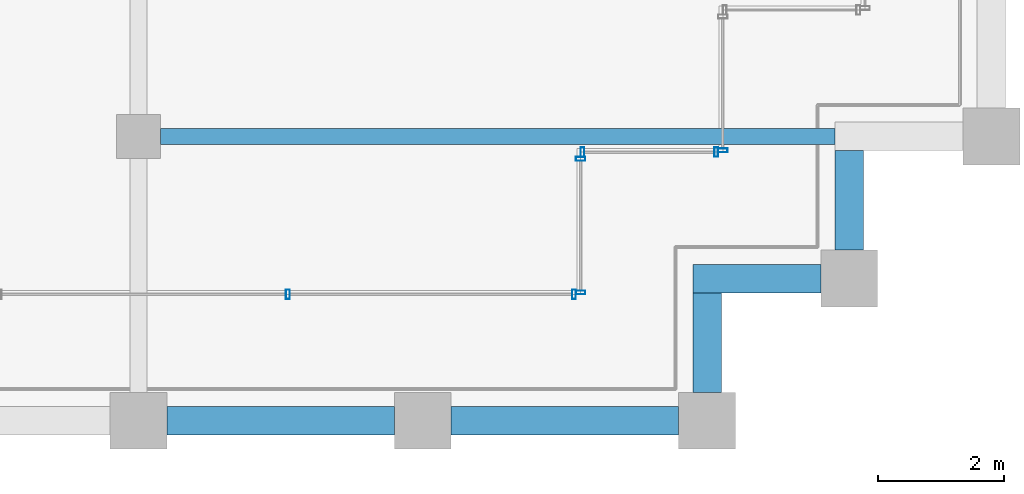
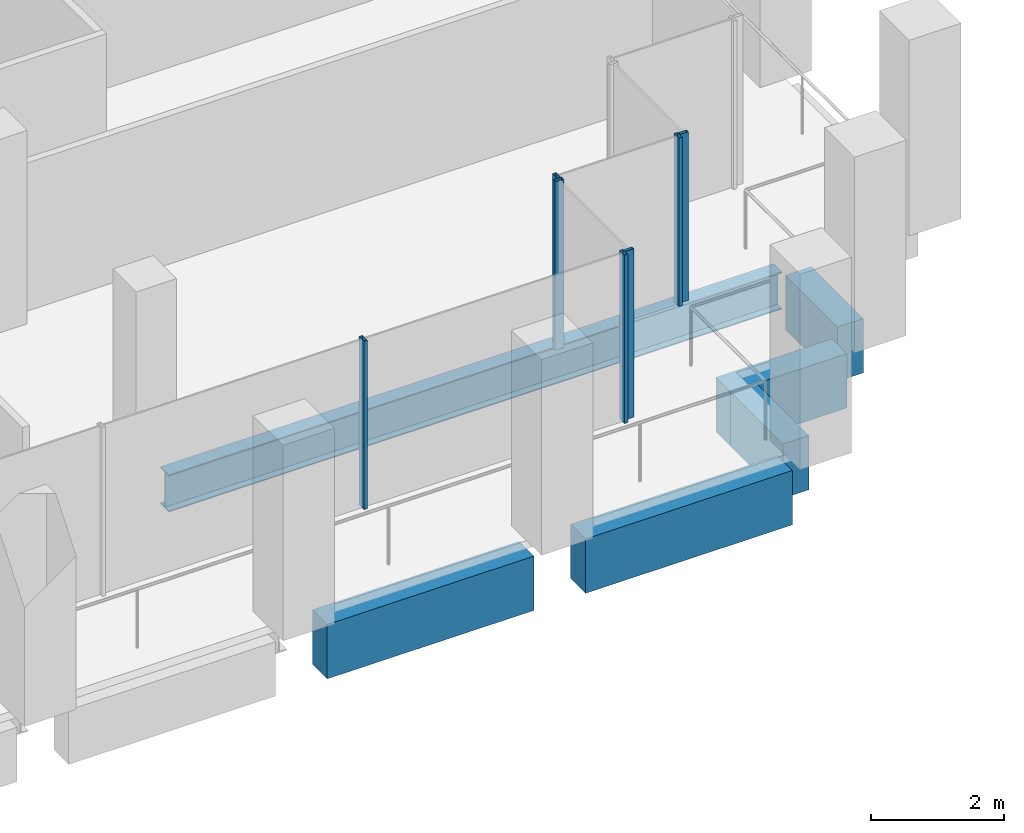
# One storey, part 12 of 40: 7 members, 6 beams, 4 elements without a shape of their own.
"""IFC4 building model written with IfcOpenShell, lengths in metres."""

from ifc_helpers import new_model, si_unit, direction, frame, origin, origin_2d, place, context, subcontext, project, spatial, rectangle, hollow_rectangle, i_section, extrude, material, material_profile, profile_set, type_object, element, aggregate, save


model = new_model("IFC4")

# Units and contexts
model_context = context("Model", 3, precision=1e-05, world=origin(), true_north=direction((0.0, 1.0)))
body_context = subcontext(model_context, "Body", "Model", "MODEL_VIEW")
ifc_project = project(units=[si_unit("LENGTHUNIT", "METRE"), si_unit("AREAUNIT", "SQUARE_METRE"), si_unit("VOLUMEUNIT", "CUBIC_METRE"), si_unit("PLANEANGLEUNIT", "RADIAN"), si_unit("MASSUNIT", "GRAM", prefix="KILO")], contexts=[model_context])

# Site, building, storey
site_placement = place(None, origin())
site = spatial("IfcSite", under=ifc_project, at=site_placement, CompositionType="ELEMENT")
building_placement = place(site_placement, origin())
building = spatial("IfcBuilding", under=site, at=building_placement, Name="Altepetl Exchange Towers", CompositionType="ELEMENT")
storey_placement = place(building_placement, frame((0.0, 0.0, 183.39990234375)))
storey = spatial("IfcBuildingStorey", under=building, at=storey_placement, Name="L46", CompositionType="ELEMENT", Elevation=183.39990234375)

# Beam
ifc_material_1 = material(Name="Steel S355", Category="steel")
ifc_material_profile_1 = material_profile(ifc_material_1, i_section(OverallWidth=0.25390625, OverallDepth=0.68408203125, WebThickness=0.012451171875, FlangeThickness=0.018798828125, at=origin_2d()), Name="W27X94")
ifc_profile_set_1 = profile_set([ifc_material_profile_1], Name="Steel S355")
beam_type_1 = type_object("IfcBeamType", Name="Floor beam W27X94", PredefinedType="BEAM", material=ifc_profile_set_1)
beam_1_placement = place(storey_placement, frame((58.85009765625, 31.5, -0.491943359375), z_axis=(1.0, 0.0, 0.0), x_axis=(0.0, 1.0, 0.0)))
element("IfcBeam", 1, at=beam_1_placement, inside=storey, type_object=beam_type_1, Name="bm:A:L46:006", PredefinedType="BEAM", context=body_context, shape_type="SweptSolid", body=[
    extrude(i_section(OverallWidth=0.25390625, OverallDepth=0.68408203125, WebThickness=0.012451171875, FlangeThickness=0.018798828125, at=origin_2d()), origin(), (0.0, 0.0, 1.0), 10.6748046875),
])

# Curtain wall, members
ifc_material_2 = material(Name="Aluminium 6063-T6 glazing", Category="aluminium")
curtain_wall_type = type_object("IfcCurtainWallType", Name="Loggia glazing system", PredefinedType="NOTDEFINED", material=ifc_material_2)
curtain_wall_1_placement = place(storey_placement, origin())
curtain_wall_1 = element("IfcCurtainWall", 2, at=curtain_wall_1_placement, inside=storey, type_object=curtain_wall_type, Name="CW1 run", PredefinedType="NOTDEFINED")
ifc_material_3 = material(Name="Aluminium 6063-T6", Category="aluminium")
ifc_material_profile_2 = material_profile(ifc_material_3, hollow_rectangle(XDim=0.06005859375, YDim=0.14990234375, WallThickness=0.0029296875, at=origin_2d()), Name="Mullion 60x150 aluminium")
ifc_profile_set_2 = profile_set([ifc_material_profile_2], Name="Aluminium 6063-T6")
member_type = type_object("IfcMemberType", Name="Mullion 60x150 aluminium", PredefinedType="MULLION", material=ifc_profile_set_2)
member_1_placement = place(storey_placement, frame((60.8642578125, 29.0, 0.0)))
member_1 = element("IfcMember", 3, at=member_1_placement, type_object=member_type, Name="MU1 mullion", PredefinedType="MULLION", context=body_context, shape_type="SweptSolid", body=[
    extrude(hollow_rectangle(XDim=0.06005859375, YDim=0.14990234375, WallThickness=0.0029296875, at=origin_2d()), origin(), (0.0, 0.0, 1.0), 3.10009765625),
])
member_2_placement = place(storey_placement, frame((65.39501953125, 29.0, 0.0)))
member_2 = element("IfcMember", 4, at=member_2_placement, type_object=member_type, Name="MU1 mullion", PredefinedType="MULLION", context=body_context, shape_type="SweptSolid", body=[
    extrude(hollow_rectangle(XDim=0.06005859375, YDim=0.14990234375, WallThickness=0.0029296875, at=origin_2d()), origin(), (0.0, 0.0, 1.0), 3.10009765625),
])
aggregate(curtain_wall_1, [member_1, member_2])

curtain_wall_2_placement = place(storey_placement, origin())
curtain_wall_2 = element("IfcCurtainWall", 5, at=curtain_wall_2_placement, inside=storey, type_object=curtain_wall_type, Name="CW1 run", PredefinedType="NOTDEFINED")
member_3_placement = place(storey_placement, frame((65.5, 29.030029296875, 0.0), z_axis=(0.0, 0.0, 1.0), x_axis=(0.0, 1.0, 0.0)))
member_3 = element("IfcMember", 6, at=member_3_placement, type_object=member_type, Name="MU1 mullion", PredefinedType="MULLION", context=body_context, shape_type="SweptSolid", body=[
    extrude(hollow_rectangle(XDim=0.06005859375, YDim=0.14990234375, WallThickness=0.0029296875, at=origin_2d()), origin(), (0.0, 0.0, 1.0), 3.10009765625),
])
member_4_placement = place(storey_placement, frame((65.5, 31.14501953125, 0.0), z_axis=(0.0, 0.0, 1.0), x_axis=(0.0, 1.0, 0.0)))
member_4 = element("IfcMember", 7, at=member_4_placement, type_object=member_type, Name="MU1 mullion", PredefinedType="MULLION", context=body_context, shape_type="SweptSolid", body=[
    extrude(hollow_rectangle(XDim=0.06005859375, YDim=0.14990234375, WallThickness=0.0029296875, at=origin_2d()), origin(), (0.0, 0.0, 1.0), 3.10009765625),
])
aggregate(curtain_wall_2, [member_3, member_4])

curtain_wall_3_placement = place(storey_placement, origin())
curtain_wall_3 = element("IfcCurtainWall", 8, at=curtain_wall_3_placement, inside=storey, type_object=curtain_wall_type, Name="CW1 run", PredefinedType="NOTDEFINED")
member_5_placement = place(storey_placement, frame((65.530029296875, 31.25, 0.0)))
member_5 = element("IfcMember", 9, at=member_5_placement, type_object=member_type, Name="MU1 mullion", PredefinedType="MULLION", context=body_context, shape_type="SweptSolid", body=[
    extrude(hollow_rectangle(XDim=0.06005859375, YDim=0.14990234375, WallThickness=0.0029296875, at=origin_2d()), origin(), (0.0, 0.0, 1.0), 3.10009765625),
])
member_6_placement = place(storey_placement, frame((67.64501953125, 31.25, 0.0)))
member_6 = element("IfcMember", 10, at=member_6_placement, type_object=member_type, Name="MU1 mullion", PredefinedType="MULLION", context=body_context, shape_type="SweptSolid", body=[
    extrude(hollow_rectangle(XDim=0.06005859375, YDim=0.14990234375, WallThickness=0.0029296875, at=origin_2d()), origin(), (0.0, 0.0, 1.0), 3.10009765625),
])
aggregate(curtain_wall_3, [member_5, member_6])

# Curtain wall, member
curtain_wall_4_placement = place(storey_placement, origin())
curtain_wall_4 = element("IfcCurtainWall", 11, at=curtain_wall_4_placement, inside=storey, type_object=curtain_wall_type, Name="CW1 run", PredefinedType="NOTDEFINED")
member_7_placement = place(storey_placement, frame((67.75, 31.280029296875, 0.0), z_axis=(0.0, 0.0, 1.0), x_axis=(0.0, 1.0, 0.0)))
member_7 = element("IfcMember", 12, at=member_7_placement, type_object=member_type, Name="MU1 mullion", PredefinedType="MULLION", context=body_context, shape_type="SweptSolid", body=[
    extrude(hollow_rectangle(XDim=0.06005859375, YDim=0.14990234375, WallThickness=0.0029296875, at=origin_2d()), origin(), (0.0, 0.0, 1.0), 3.10009765625),
])
aggregate(curtain_wall_4, [member_7])

# Beams
ifc_material_4 = material(Name="Concrete C50/60 precast with cantera amarilla facing", Category="concrete")
ifc_material_profile_3 = material_profile(ifc_material_4, rectangle(XDim=0.449951171875, YDim=1.0, at=origin_2d()), Name="450 x 1000")
ifc_profile_set_3 = profile_set([ifc_material_profile_3], Name="Concrete C50/60 precast with cantera amarilla facing")
beam_type_2 = type_object("IfcBeamType", Name="Spandrel beam 450x1000 cantera amarilla", PredefinedType="SPANDREL", material=ifc_profile_set_3)
for number, where, z_axis, x_axis, name in (
    (13, (58.949951171875, 27.0, -0.64990234375), (1.0, 0.0, 0.0), (0.0, 1.0, 0.0), "sp:A:L46:006"),
    (14, (63.449951171875, 27.0, -0.64990234375), (1.0, 0.0, 0.0), (0.0, 1.0, 0.0), "sp:A:L46:007"),
):
    element("IfcBeam", number, at=place(storey_placement, frame(where, z_axis=z_axis, x_axis=x_axis)), inside=storey, type_object=beam_type_2, Name=name, PredefinedType="SPANDREL", context=body_context, shape_type="SweptSolid", body=[
        extrude(rectangle(XDim=0.449951171875, YDim=1.0, at=origin_2d()), origin(), (0.0, 0.0, 1.0), 3.60009765625),
    ])
beam_2_placement = place(storey_placement, frame((67.5, 27.449951171875, -0.64990234375), z_axis=(0.0, 1.0, 0.0), x_axis=(-1.0, 0.0, 0.0)))
element("IfcBeam", 15, at=beam_2_placement, inside=storey, type_object=beam_type_2, Name="sp:A:L46:008", PredefinedType="SPANDREL", context=body_context, shape_type="SweptSolid", body=[
    extrude(rectangle(XDim=0.449951171875, YDim=1.0, at=origin_2d()), origin(), (0.0, 0.0, 1.0), 1.574951171875),
])
beam_3_placement = place(storey_placement, frame((67.27490234375, 29.25, -0.64990234375), z_axis=(1.0, 0.0, 0.0), x_axis=(0.0, 1.0, 0.0)))
element("IfcBeam", 16, at=beam_3_placement, inside=storey, type_object=beam_type_2, Name="sp:A:L46:009", PredefinedType="SPANDREL", context=body_context, shape_type="SweptSolid", body=[
    extrude(rectangle(XDim=0.449951171875, YDim=1.0, at=origin_2d()), origin(), (0.0, 0.0, 1.0), 2.025146484375),
])
beam_4_placement = place(storey_placement, frame((69.75, 29.699951171875, -0.64990234375), z_axis=(0.0, 1.0, 0.0), x_axis=(-1.0, 0.0, 0.0)))
element("IfcBeam", 17, at=beam_4_placement, inside=storey, type_object=beam_type_2, Name="sp:A:L46:010", PredefinedType="SPANDREL", context=body_context, shape_type="SweptSolid", body=[
    extrude(rectangle(XDim=0.449951171875, YDim=1.0, at=origin_2d()), origin(), (0.0, 0.0, 1.0), 1.574951171875),
])

save(model, "model.ifc")
